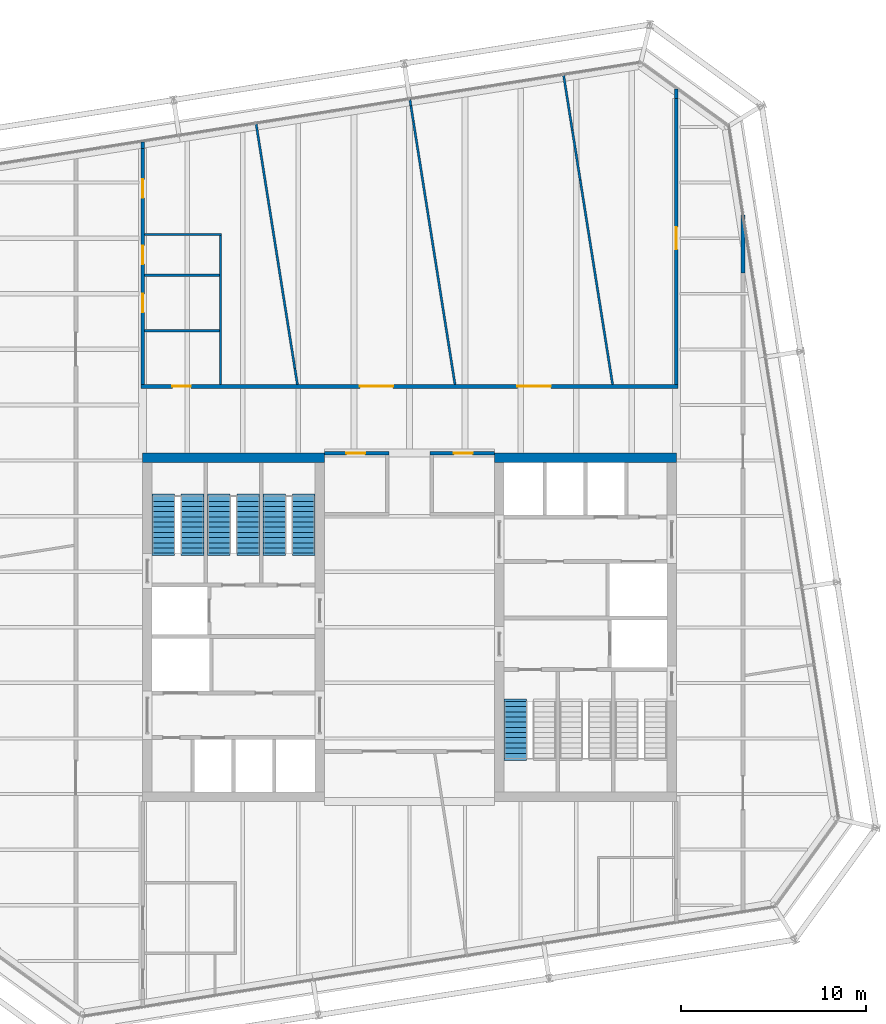
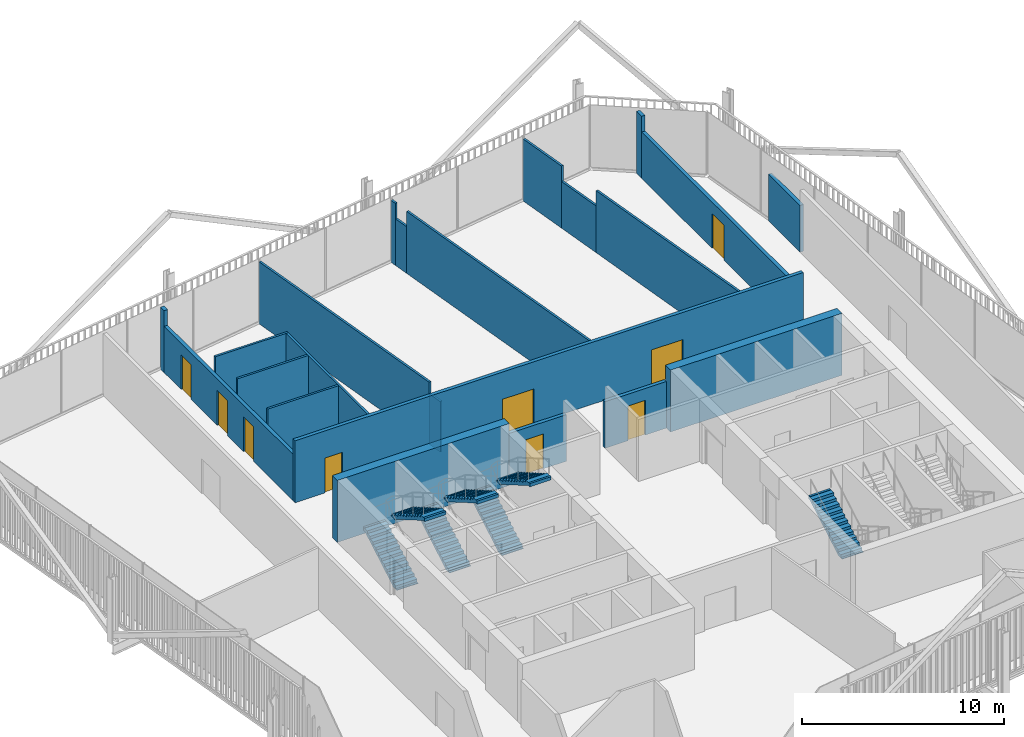
# One storey, part 19 of 21: 22 walls, 9 doors, 7 stair flights, 9 openings, 4 elements without a shape of their own.
"""IFC4 building model written with IfcOpenShell, lengths in metres."""

from ifc_helpers import new_model, si_unit, direction, frame, frame_2d, origin, place, context, subcontext, project, spatial, polyline, rectangle, outline, extrude, material, layer, layer_set, type_object, element, fill, aggregate, save


model = new_model("IFC4")

# Units and contexts
model_context = context("Model", 3, precision=1e-05, world=origin(), true_north=direction((0.0, 1.0)))
body_context = subcontext(model_context, "Body", "Model", "MODEL_VIEW")
ifc_project = project(units=[si_unit("LENGTHUNIT", "METRE"), si_unit("AREAUNIT", "SQUARE_METRE"), si_unit("VOLUMEUNIT", "CUBIC_METRE"), si_unit("PLANEANGLEUNIT", "RADIAN"), si_unit("MASSUNIT", "GRAM", prefix="KILO")], contexts=[model_context])

# Site, building, storey
site_placement = place(None, origin())
site = spatial("IfcSite", under=ifc_project, at=site_placement, CompositionType="ELEMENT")
building_placement = place(site_placement, origin())
building = spatial("IfcBuilding", under=site, at=building_placement, Name="Millrace Tower", CompositionType="ELEMENT")
storey_placement = place(building_placement, frame((0.0, 0.0, 220.300048828125)))
storey = spatial("IfcBuildingStorey", under=building, at=storey_placement, Name="L50", CompositionType="ELEMENT", Elevation=220.300048828125)

# Walls
ifc_material_1 = material(Name="Concrete C60", Category="concrete")
ifc_layer_1 = layer(ifc_material_1, 0.5)
ifc_layer_set_1 = layer_set([ifc_layer_1], Name="Concrete C60")
wall_type_1 = type_object("IfcWallType", Name="Core wall 500 Concrete C60", PredefinedType="SHEAR", material=ifc_layer_set_1)
for number, where, z_axis, x_axis, name in (
    (1, (-14.39990234375, 9.14990234375, 0.0), (0.0, 0.0, 1.0), (1.0, 0.0, 0.0), "Core wall W L50"),
    (2, (14.39990234375, 9.14990234375, 0.0), (0.0, 0.0, 1.0), (-1.0, 0.0, 0.0), "Core wall E L50"),
):
    element("IfcWall", number, at=place(storey_placement, frame(where, z_axis=z_axis, x_axis=x_axis)), inside=storey, type_object=wall_type_1, Name=name, PredefinedType="SHEAR", context=body_context, shape_type="SweptSolid", body=[
        extrude(rectangle(XDim=9.7998046875, YDim=0.5, at=frame_2d((4.89990234375, 0.0))), origin(), (0.0, 0.0, 1.0), 3.739990234375),
    ])

# Wall, opening, door
ifc_material_2 = material(Name="Masonry partition, fire-rated", Category="masonry")
ifc_layer_2 = layer(ifc_material_2, 0.199951171875)
ifc_layer_set_2 = layer_set([ifc_layer_2], Name="Masonry partition, fire-rated")
wall_type_2 = type_object("IfcWallType", Name="Corridor wall 200", PredefinedType="PARTITIONING", material=ifc_layer_set_2)
wall_1_placement = place(storey_placement, frame((-4.60009765625, 9.39990234375, 0.0), z_axis=(0.0, 0.0, 1.0), x_axis=(1.0, 0.0, 0.0)))
wall_1 = element("IfcWall", 3, at=wall_1_placement, inside=storey, type_object=wall_type_2, Name="Corridor wall L50", PredefinedType="PARTITIONING", context=body_context, shape_type="SweptSolid", body=[
    extrude(rectangle(XDim=3.5, YDim=0.199951171875, at=frame_2d((1.75, 0.0))), origin(), (0.0, 0.0, 1.0), 2.812744140625),
])
opening_1_placement = place(wall_1_placement, frame((1.199951171875, 0.0, 0.0)))
opening_1 = element("IfcOpeningElement", 4, at=opening_1_placement, cuts=wall_1, Name="Opening 50-P001", PredefinedType="OPENING", context=body_context, shape_type="SweptSolid", body=[
    extrude(rectangle(XDim=1.0, YDim=2.10009765625, at=frame_2d((0.5, 1.050048828125))), frame((0.0, 0.10986328125, 0.0), z_axis=(0.0, -1.0, 0.0), x_axis=(1.0, 0.0, 0.0)), (0.0, 0.0, 1.0), 0.219970703125),
])
ifc_material_3 = material(Name="Steel door set, fire-rated", Category="steel")
door_type_1 = type_object("IfcDoorType", Name="Corridor door 1000 x 2100", OperationType="SINGLE_SWING_LEFT", PredefinedType="DOOR", material=ifc_material_3)
door_1_placement = place(opening_1_placement, frame((1.0, 0.0, 0.0), z_axis=(0.0, 0.0, 1.0), x_axis=(-1.0, 0.0, 0.0)))
door_1 = element("IfcDoor", 5, at=door_1_placement, inside=storey, type_object=door_type_1, Name="Door 50-P001", OperationType="SINGLE_SWING_RIGHT", OverallHeight=2.10009765625, OverallWidth=1.0, PredefinedType="DOOR", context=body_context, shape_type="SweptSolid", body=[
    extrude(rectangle(XDim=1.0, YDim=2.10009765625, at=frame_2d((0.5, 1.050048828125))), frame((0.0, 0.02490234375, 0.0), z_axis=(0.0, -1.0, 0.0), x_axis=(1.0, 0.0, 0.0)), (0.0, 0.0, 1.0), 0.050048828125),
])
fill(opening_1, door_1)

wall_2_placement = place(storey_placement, frame((1.10009765625, 9.39990234375, 0.0), z_axis=(0.0, 0.0, 1.0), x_axis=(1.0, 0.0, 0.0)))
wall_2 = element("IfcWall", 6, at=wall_2_placement, inside=storey, type_object=wall_type_2, Name="Corridor wall L50", PredefinedType="PARTITIONING", context=body_context, shape_type="SweptSolid", body=[
    extrude(rectangle(XDim=3.5, YDim=0.199951171875, at=frame_2d((1.75, 0.0))), origin(), (0.0, 0.0, 1.0), 2.812744140625),
])
opening_2_placement = place(wall_2_placement, frame((1.300048828125, 0.0, 0.0)))
opening_2 = element("IfcOpeningElement", 7, at=opening_2_placement, cuts=wall_2, Name="Opening 50-P002", PredefinedType="OPENING", context=body_context, shape_type="SweptSolid", body=[
    extrude(rectangle(XDim=1.0, YDim=2.10009765625, at=frame_2d((0.5, 1.050048828125))), frame((0.0, 0.10986328125, 0.0), z_axis=(0.0, -1.0, 0.0), x_axis=(1.0, 0.0, 0.0)), (0.0, 0.0, 1.0), 0.219970703125),
])
door_2_placement = place(opening_2_placement, frame((1.0, 0.0, 0.0), z_axis=(0.0, 0.0, 1.0), x_axis=(-1.0, 0.0, 0.0)))
door_2 = element("IfcDoor", 8, at=door_2_placement, inside=storey, type_object=door_type_1, Name="Door 50-P002", OperationType="SINGLE_SWING_RIGHT", OverallHeight=2.10009765625, OverallWidth=1.0, PredefinedType="DOOR", context=body_context, shape_type="SweptSolid", body=[
    extrude(rectangle(XDim=1.0, YDim=2.10009765625, at=frame_2d((0.5, 1.050048828125))), frame((0.0, 0.02490234375, 0.0), z_axis=(0.0, -1.0, 0.0), x_axis=(1.0, 0.0, 0.0)), (0.0, 0.0, 1.0), 0.050048828125),
])
fill(opening_2, door_2)

# Wall, openings, doors
wall_3_placement = place(storey_placement, frame((-14.5, 13.0, 0.0), z_axis=(0.0, 0.0, 1.0), x_axis=(1.0, 0.0, 0.0)))
wall_3 = element("IfcWall", 9, at=wall_3_placement, inside=storey, type_object=wall_type_2, Name="Corridor wall L50", PredefinedType="PARTITIONING", context=body_context, shape_type="SweptSolid", body=[
    extrude(rectangle(XDim=29.0, YDim=0.199951171875, at=frame_2d((14.5, 0.0))), origin(), (0.0, 0.0, 1.0), 3.739990234375),
])
opening_3_placement = place(wall_3_placement, frame((1.699951171875, 0.0, 0.0)))
opening_3 = element("IfcOpeningElement", 10, at=opening_3_placement, cuts=wall_3, Name="Opening 50-P006", PredefinedType="OPENING", context=body_context, shape_type="SweptSolid", body=[
    extrude(rectangle(XDim=1.0, YDim=2.10009765625, at=frame_2d((0.5, 1.050048828125))), frame((0.0, 0.10986328125, 0.0), z_axis=(0.0, -1.0, 0.0), x_axis=(1.0, 0.0, 0.0)), (0.0, 0.0, 1.0), 0.219970703125),
])
opening_4_placement = place(wall_3_placement, frame((11.819580078125, 0.0, 0.0)))
opening_4 = element("IfcOpeningElement", 11, at=opening_4_placement, cuts=wall_3, Name="Opening 50-P009", PredefinedType="OPENING", context=body_context, shape_type="SweptSolid", body=[
    extrude(rectangle(XDim=1.800048828125, YDim=2.10009765625, at=frame_2d((0.89990234375, 1.050048828125))), frame((0.0, 0.10986328125, 0.0), z_axis=(0.0, -1.0, 0.0), x_axis=(1.0, 0.0, 0.0)), (0.0, 0.0, 1.0), 0.219970703125),
])
opening_5_placement = place(wall_3_placement, frame((20.324462890625, 0.0, 0.0)))
opening_5 = element("IfcOpeningElement", 12, at=opening_5_placement, cuts=wall_3, Name="Opening 50-P010", PredefinedType="OPENING", context=body_context, shape_type="SweptSolid", body=[
    extrude(rectangle(XDim=1.800048828125, YDim=2.10009765625, at=frame_2d((0.89990234375, 1.050048828125))), frame((0.0, 0.10986328125, 0.0), z_axis=(0.0, -1.0, 0.0), x_axis=(1.0, 0.0, 0.0)), (0.0, 0.0, 1.0), 0.219970703125),
])
door_3_placement = place(opening_3_placement, origin())
door_3 = element("IfcDoor", 13, at=door_3_placement, inside=storey, type_object=door_type_1, Name="Door 50-P006", OperationType="SINGLE_SWING_LEFT", OverallHeight=2.10009765625, OverallWidth=1.0, PredefinedType="DOOR", context=body_context, shape_type="SweptSolid", body=[
    extrude(rectangle(XDim=1.0, YDim=2.10009765625, at=frame_2d((0.5, 1.050048828125))), frame((0.0, 0.02490234375, 0.0), z_axis=(0.0, -1.0, 0.0), x_axis=(1.0, 0.0, 0.0)), (0.0, 0.0, 1.0), 0.050048828125),
])
fill(opening_3, door_3)
ifc_material_4 = material(Name="Steel door set, fire-rated", Category="steel")
door_type_2 = type_object("IfcDoorType", Name="Corridor door 1800 x 2100", OperationType="DOUBLE_DOOR_SINGLE_SWING", PredefinedType="DOOR", material=ifc_material_4)
door_4_placement = place(opening_4_placement, origin())
door_4 = element("IfcDoor", 14, at=door_4_placement, inside=storey, type_object=door_type_2, Name="Door 50-P009", OperationType="DOUBLE_DOOR_SINGLE_SWING", OverallHeight=2.10009765625, OverallWidth=1.800048828125, PredefinedType="DOOR", context=body_context, shape_type="SweptSolid", body=[
    extrude(rectangle(XDim=1.800048828125, YDim=2.10009765625, at=frame_2d((0.89990234375, 1.050048828125))), frame((0.0, 0.02490234375, 0.0), z_axis=(0.0, -1.0, 0.0), x_axis=(1.0, 0.0, 0.0)), (0.0, 0.0, 1.0), 0.050048828125),
])
fill(opening_4, door_4)
door_5_placement = place(opening_5_placement, origin())
door_5 = element("IfcDoor", 15, at=door_5_placement, inside=storey, type_object=door_type_2, Name="Door 50-P010", OperationType="DOUBLE_DOOR_SINGLE_SWING", OverallHeight=2.10009765625, OverallWidth=1.800048828125, PredefinedType="DOOR", context=body_context, shape_type="SweptSolid", body=[
    extrude(rectangle(XDim=1.800048828125, YDim=2.10009765625, at=frame_2d((0.89990234375, 1.050048828125))), frame((0.0, 0.02490234375, 0.0), z_axis=(0.0, -1.0, 0.0), x_axis=(1.0, 0.0, 0.0)), (0.0, 0.0, 1.0), 0.050048828125),
])
fill(opening_5, door_5)

# Wall
wall_4_placement = place(storey_placement, frame((18.0, 19.1171875, 0.0), z_axis=(0.0, 0.0, 1.0), x_axis=(0.0, 1.0, 0.0)))
element("IfcWall", 16, at=wall_4_placement, inside=storey, type_object=wall_type_2, Name="Corridor wall L50", PredefinedType="PARTITIONING", context=body_context, shape_type="SweptSolid", body=[
    extrude(rectangle(XDim=3.137451171875, YDim=0.199951171875, at=frame_2d((1.56884765625, 0.0))), origin(), (0.0, 0.0, 1.0), 2.812744140625),
])

# Wall, opening, door
wall_5_placement = place(storey_placement, frame((14.39990234375, 13.10009765625, 0.0), z_axis=(0.0, 0.0, 1.0), x_axis=(0.0, 1.0, 0.0)))
wall_5 = element("IfcWall", 17, at=wall_5_placement, inside=storey, type_object=wall_type_2, Name="Corridor wall L50", PredefinedType="PARTITIONING", context=body_context, shape_type="SweptSolid", body=[
    extrude(rectangle(XDim=15.440673828125, YDim=0.199951171875, at=frame_2d((7.72021484375, 0.0))), origin(), (0.0, 0.0, 1.0), 2.79248046875),
])
opening_6_placement = place(wall_5_placement, frame((7.298095703125, 0.0, 0.0)))
opening_6 = element("IfcOpeningElement", 18, at=opening_6_placement, cuts=wall_5, Name="Opening 50-P011", PredefinedType="OPENING", context=body_context, shape_type="SweptSolid", body=[
    extrude(rectangle(XDim=1.199951171875, YDim=2.10009765625, at=frame_2d((0.60009765625, 1.050048828125))), frame((0.0, 0.10986328125, 0.0), z_axis=(0.0, -1.0, 0.0), x_axis=(1.0, 0.0, 0.0)), (0.0, 0.0, 1.0), 0.219970703125),
])
ifc_material_5 = material(Name="Steel door set, fire-rated", Category="steel")
door_type_3 = type_object("IfcDoorType", Name="Corridor door 1200 x 2100", OperationType="SINGLE_SWING_LEFT", PredefinedType="DOOR", material=ifc_material_5)
door_6_placement = place(opening_6_placement, origin())
door_6 = element("IfcDoor", 19, at=door_6_placement, inside=storey, type_object=door_type_3, Name="Door 50-P011", OperationType="SINGLE_SWING_LEFT", OverallHeight=2.10009765625, OverallWidth=1.199951171875, PredefinedType="DOOR", context=body_context, shape_type="SweptSolid", body=[
    extrude(rectangle(XDim=1.199951171875, YDim=2.10009765625, at=frame_2d((0.60009765625, 1.050048828125))), frame((0.0, 0.02490234375, 0.0), z_axis=(0.0, -1.0, 0.0), x_axis=(1.0, 0.0, 0.0)), (0.0, 0.0, 1.0), 0.050048828125),
])
fill(opening_6, door_6)

# Wall
wall_6_placement = place(storey_placement, frame((14.39990234375, 28.540771484375, 0.0), z_axis=(0.0, 0.0, 1.0), x_axis=(0.0, 1.0, 0.0)))
element("IfcWall", 20, at=wall_6_placement, inside=storey, type_object=wall_type_2, Name="Corridor wall L50", PredefinedType="PARTITIONING", context=body_context, shape_type="SweptSolid", body=[
    extrude(rectangle(XDim=0.51708984375, YDim=0.199951171875, at=frame_2d((0.258544921875, 0.0))), origin(), (0.0, 0.0, 1.0), 3.739990234375),
])

# Wall, openings, doors
wall_7_placement = place(storey_placement, frame((-14.39990234375, 13.10009765625, 0.0), z_axis=(0.0, 0.0, 1.0), x_axis=(0.0, 1.0, 0.0)))
wall_7 = element("IfcWall", 21, at=wall_7_placement, inside=storey, type_object=wall_type_2, Name="Corridor wall L50", PredefinedType="PARTITIONING", context=body_context, shape_type="SweptSolid", body=[
    extrude(rectangle(XDim=12.74853515625, YDim=0.199951171875, at=frame_2d((6.374267578125, 0.0))), origin(), (0.0, 0.0, 1.0), 2.79248046875),
])
opening_7_placement = place(wall_7_placement, frame((10.073974609375, 0.0, 0.0)))
opening_7 = element("IfcOpeningElement", 22, at=opening_7_placement, cuts=wall_7, Name="Opening 50-P005", PredefinedType="OPENING", context=body_context, shape_type="SweptSolid", body=[
    extrude(rectangle(XDim=1.0, YDim=2.10009765625, at=frame_2d((0.5, 1.050048828125))), frame((0.0, 0.10986328125, 0.0), z_axis=(0.0, -1.0, 0.0), x_axis=(1.0, 0.0, 0.0)), (0.0, 0.0, 1.0), 0.219970703125),
])
opening_8_placement = place(wall_7_placement, frame((3.89990234375, 0.0, 0.0)))
opening_8 = element("IfcOpeningElement", 23, at=opening_8_placement, cuts=wall_7, Name="Opening 50-P007", PredefinedType="OPENING", context=body_context, shape_type="SweptSolid", body=[
    extrude(rectangle(XDim=1.0, YDim=2.10009765625, at=frame_2d((0.5, 1.050048828125))), frame((0.0, 0.10986328125, 0.0), z_axis=(0.0, -1.0, 0.0), x_axis=(1.0, 0.0, 0.0)), (0.0, 0.0, 1.0), 0.219970703125),
])
opening_9_placement = place(wall_7_placement, frame((6.5, 0.0, 0.0)))
opening_9 = element("IfcOpeningElement", 24, at=opening_9_placement, cuts=wall_7, Name="Opening 50-P008", PredefinedType="OPENING", context=body_context, shape_type="SweptSolid", body=[
    extrude(rectangle(XDim=1.0, YDim=2.10009765625, at=frame_2d((0.5, 1.050048828125))), frame((0.0, 0.10986328125, 0.0), z_axis=(0.0, -1.0, 0.0), x_axis=(1.0, 0.0, 0.0)), (0.0, 0.0, 1.0), 0.219970703125),
])
door_7_placement = place(opening_7_placement, frame((1.0, 0.0, 0.0), z_axis=(0.0, 0.0, 1.0), x_axis=(-1.0, 0.0, 0.0)))
door_7 = element("IfcDoor", 25, at=door_7_placement, inside=storey, type_object=door_type_1, Name="Door 50-P005", OperationType="SINGLE_SWING_LEFT", OverallHeight=2.10009765625, OverallWidth=1.0, PredefinedType="DOOR", context=body_context, shape_type="SweptSolid", body=[
    extrude(rectangle(XDim=1.0, YDim=2.10009765625, at=frame_2d((0.5, 1.050048828125))), frame((0.0, 0.02490234375, 0.0), z_axis=(0.0, -1.0, 0.0), x_axis=(1.0, 0.0, 0.0)), (0.0, 0.0, 1.0), 0.050048828125),
])
fill(opening_7, door_7)
door_8_placement = place(opening_8_placement, frame((1.0, 0.0, 0.0), z_axis=(0.0, 0.0, 1.0), x_axis=(-1.0, 0.0, 0.0)))
door_8 = element("IfcDoor", 26, at=door_8_placement, inside=storey, type_object=door_type_1, Name="Door 50-P007", OperationType="SINGLE_SWING_RIGHT", OverallHeight=2.10009765625, OverallWidth=1.0, PredefinedType="DOOR", context=body_context, shape_type="SweptSolid", body=[
    extrude(rectangle(XDim=1.0, YDim=2.10009765625, at=frame_2d((0.5, 1.050048828125))), frame((0.0, 0.02490234375, 0.0), z_axis=(0.0, -1.0, 0.0), x_axis=(1.0, 0.0, 0.0)), (0.0, 0.0, 1.0), 0.050048828125),
])
fill(opening_8, door_8)
door_9_placement = place(opening_9_placement, frame((1.0, 0.0, 0.0), z_axis=(0.0, 0.0, 1.0), x_axis=(-1.0, 0.0, 0.0)))
door_9 = element("IfcDoor", 27, at=door_9_placement, inside=storey, type_object=door_type_1, Name="Door 50-P008", OperationType="SINGLE_SWING_LEFT", OverallHeight=2.10009765625, OverallWidth=1.0, PredefinedType="DOOR", context=body_context, shape_type="SweptSolid", body=[
    extrude(rectangle(XDim=1.0, YDim=2.10009765625, at=frame_2d((0.5, 1.050048828125))), frame((0.0, 0.02490234375, 0.0), z_axis=(0.0, -1.0, 0.0), x_axis=(1.0, 0.0, 0.0)), (0.0, 0.0, 1.0), 0.050048828125),
])
fill(opening_9, door_9)

# Walls
wall_8_placement = place(storey_placement, frame((-14.39990234375, 25.8486328125, 0.0), z_axis=(0.0, 0.0, 1.0), x_axis=(0.0, 1.0, 0.0)))
element("IfcWall", 28, at=wall_8_placement, inside=storey, type_object=wall_type_2, Name="Corridor wall L50", PredefinedType="PARTITIONING", context=body_context, shape_type="SweptSolid", body=[
    extrude(rectangle(XDim=0.349609375, YDim=0.199951171875, at=frame_2d((0.1748046875, 0.0))), origin(), (0.0, 0.0, 1.0), 3.739990234375),
])
ifc_material_6 = material(Name="Gypsum board partition")
ifc_layer_3 = layer(ifc_material_6, 0.1201171875)
ifc_layer_set_3 = layer_set([ifc_layer_3], Name="Gypsum board partition")
wall_type_3 = type_object("IfcWallType", Name="Partition wall 120", PredefinedType="PARTITIONING", material=ifc_layer_set_3)
wall_9_placement = place(storey_placement, frame((-8.27685546875, 27.16796875, 0.0), z_axis=(0.0, 0.0, 1.0), x_axis=(0.156429057976, -0.987689196975, 0.0)))
element("IfcWall", 29, at=wall_9_placement, inside=storey, type_object=wall_type_3, Name="Partition wall L50", PredefinedType="PARTITIONING", context=body_context, shape_type="SweptSolid", body=[
    extrude(rectangle(XDim=13.356689453125, YDim=0.1201171875, at=frame_2d((6.67822265625, 0.0))), origin(), (0.0, 0.0, 1.0), 3.739990234375),
])
wall_10_placement = place(storey_placement, frame((-6.1875, 13.975830078125, 0.0), z_axis=(0.0, 0.0, 1.0), x_axis=(0.156456753073, -0.98768481026, 0.0)))
element("IfcWall", 30, at=wall_10_placement, inside=storey, type_object=wall_type_3, Name="Partition wall L50", PredefinedType="PARTITIONING", context=body_context, shape_type="SweptSolid", body=[
    extrude(rectangle(XDim=0.887939453125, YDim=0.1201171875, at=frame_2d((0.44384765625, 0.0))), origin(), (0.0, 0.0, 1.0), 3.046630859375),
])
wall_11_placement = place(storey_placement, frame((0.020263671875, 28.482177734375, 0.0), z_axis=(0.0, 0.0, 1.0), x_axis=(0.155999489422, -0.987757135788, 0.0)))
element("IfcWall", 31, at=wall_11_placement, inside=storey, type_object=wall_type_3, Name="Partition wall L50", PredefinedType="PARTITIONING", context=body_context, shape_type="SweptSolid", body=[
    extrude(rectangle(XDim=0.339599609375, YDim=0.1201171875, at=frame_2d((0.169921875, 0.0))), origin(), (0.0, 0.0, 1.0), 3.739990234375),
])
wall_12_placement = place(storey_placement, frame((0.0732421875, 28.146728515625, 0.0), z_axis=(0.0, 0.0, 1.0), x_axis=(0.156454153155, -0.987685222103, 0.0)))
element("IfcWall", 32, at=wall_12_placement, inside=storey, type_object=wall_type_3, Name="Partition wall L50", PredefinedType="PARTITIONING", context=body_context, shape_type="SweptSolid", body=[
    extrude(rectangle(XDim=0.892578125, YDim=0.1201171875, at=frame_2d((0.4462890625, 0.0))), origin(), (0.0, 0.0, 1.0), 2.812744140625),
])
wall_13_placement = place(storey_placement, frame((0.212890625, 27.26513671875, 0.0), z_axis=(0.0, 0.0, 1.0), x_axis=(0.156413589686, -0.9876916467, 0.0)))
element("IfcWall", 33, at=wall_13_placement, inside=storey, type_object=wall_type_3, Name="Partition wall L50", PredefinedType="PARTITIONING", context=body_context, shape_type="SweptSolid", body=[
    extrude(rectangle(XDim=14.3427734375, YDim=0.1201171875, at=frame_2d((7.17138671875, 0.0))), origin(), (0.0, 0.0, 1.0), 3.739990234375),
])
wall_14_placement = place(storey_placement, frame((8.316162109375, 29.796142578125, 0.0), z_axis=(0.0, 0.0, 1.0), x_axis=(0.15649998255, -0.987677961413, 0.0)))
element("IfcWall", 34, at=wall_14_placement, inside=storey, type_object=wall_type_3, Name="Partition wall L50", PredefinedType="PARTITIONING", context=body_context, shape_type="SweptSolid", body=[
    extrude(rectangle(XDim=3.00927734375, YDim=0.1201171875, at=frame_2d((1.504638671875, 0.0))), origin(), (0.0, 0.0, 1.0), 3.739990234375),
])
wall_15_placement = place(storey_placement, frame((8.787109375, 26.823974609375, 0.0), z_axis=(0.0, 0.0, 1.0), x_axis=(0.156436996348, -0.987687939672, 0.0)))
element("IfcWall", 35, at=wall_15_placement, inside=storey, type_object=wall_type_3, Name="Partition wall L50", PredefinedType="PARTITIONING", context=body_context, shape_type="SweptSolid", body=[
    extrude(rectangle(XDim=2.7216796875, YDim=0.1201171875, at=frame_2d((1.36083984375, 0.0))), origin(), (0.0, 0.0, 1.0), 2.812744140625),
])
wall_16_placement = place(storey_placement, frame((9.212890625, 24.1357421875, 0.0), z_axis=(0.0, 0.0, 1.0), x_axis=(0.156475271536, -0.987681876617, 0.0)))
element("IfcWall", 36, at=wall_16_placement, inside=storey, type_object=wall_type_3, Name="Partition wall L50", PredefinedType="PARTITIONING", context=body_context, shape_type="SweptSolid", body=[
    extrude(rectangle(XDim=11.174560546875, YDim=0.1201171875, at=frame_2d((5.58740234375, 0.0))), origin(), (0.0, 0.0, 1.0), 3.739990234375),
])
for number, where, z_axis, x_axis, name in (
    (37, (-14.300048828125, 16.0, 0.0), (0.0, 0.0, 1.0), (1.0, 0.0, 0.0), "Partition wall L50"),
    (38, (-14.300048828125, 19.0, 0.0), (0.0, 0.0, 1.0), (1.0, 0.0, 0.0), "Partition wall L50"),
):
    element("IfcWall", number, at=place(storey_placement, frame(where, z_axis=z_axis, x_axis=x_axis)), inside=storey, type_object=wall_type_3, Name=name, PredefinedType="PARTITIONING", context=body_context, shape_type="SweptSolid", body=[
        extrude(rectangle(XDim=4.0400390625, YDim=0.1201171875, at=frame_2d((2.02001953125, 0.0))), origin(), (0.0, 0.0, 1.0), 3.739990234375),
    ])
wall_17_placement = place(storey_placement, frame((-14.300048828125, 21.199951171875, 0.0), z_axis=(0.0, 0.0, 1.0), x_axis=(1.0, 0.0, 0.0)))
element("IfcWall", 39, at=wall_17_placement, inside=storey, type_object=wall_type_3, Name="Partition wall L50", PredefinedType="PARTITIONING", context=body_context, shape_type="SweptSolid", body=[
    extrude(rectangle(XDim=4.16015625, YDim=0.1201171875, at=frame_2d((2.080078125, 0.0))), origin(), (0.0, 0.0, 1.0), 3.739990234375),
])
wall_18_placement = place(storey_placement, frame((-10.199951171875, 13.10009765625, 0.0), z_axis=(0.0, 0.0, 1.0), x_axis=(0.0, 1.0, 0.0)))
element("IfcWall", 40, at=wall_18_placement, inside=storey, type_object=wall_type_3, Name="Partition wall L50", PredefinedType="PARTITIONING", context=body_context, shape_type="SweptSolid", body=[
    extrude(rectangle(XDim=8.039794921875, YDim=0.1201171875, at=frame_2d((4.02001953125, 0.0))), origin(), (0.0, 0.0, 1.0), 3.739990234375),
])

# Stair, stair flights
ifc_material_7 = material(Name="Concrete C35", Category="concrete")
stair_type = type_object("IfcStairType", Name="Exit stair", PredefinedType="HALF_TURN_STAIR", material=ifc_material_7)
placement = place(storey_placement, origin())
stair_1 = element("IfcStair", 41, at=placement, inside=storey, type_object=stair_type, Name="Stair 1 W L50", PredefinedType="HALF_TURN_STAIR")
ifc_material_8 = material(Name="Concrete C35", Category="concrete")
stair_flight_type = type_object("IfcStairFlightType", Name="Exit stair flight", PredefinedType="STRAIGHT", material=ifc_material_8)
stair_flight_1_placement = place(storey_placement, frame((-13.2900390625, 4.0, 0.0), z_axis=(0.0, 0.0, 1.0), x_axis=(0.0, 1.0, 0.0)))
stair_flight_1 = element("IfcStairFlight", 42, at=stair_flight_1_placement, type_object=stair_flight_type, Name="ST12 flight 1", NumberOfRisers=12, NumberOfTreads=11, PredefinedType="STRAIGHT", RiserHeight=0.1625, TreadLength=0.28, context=body_context, shape_type="SweptSolid", body=[
    extrude(outline(polyline([(-0.1201171875, -0.0400390625), (-0.1201171875, 0.0), (0.0, 0.0), (0.0, 0.16259765625), (0.280029296875, 0.16259765625), (0.280029296875, 0.324951171875), (0.56005859375, 0.324951171875), (0.56005859375, 0.487548828125), (0.840087890625, 0.487548828125), (0.840087890625, 0.64990234375), (1.1201171875, 0.64990234375), (1.1201171875, 0.8125), (1.39990234375, 0.8125), (1.39990234375, 0.97509765625), (1.679931640625, 0.97509765625), (1.679931640625, 1.137451171875), (1.9599609375, 1.137451171875), (1.9599609375, 1.300048828125), (2.239990234375, 1.300048828125), (2.239990234375, 1.46240234375), (2.52001953125, 1.46240234375), (2.52001953125, 1.625), (2.800048828125, 1.625), (2.800048828125, 1.78759765625), (3.080078125, 1.78759765625), (3.080078125, 1.8076171875), (3.199951171875, 1.8076171875), (3.199951171875, 1.6142578125), (3.080078125, 1.6142578125), (0.298583984375, 0.0), (0.298583984375, -0.0400390625), (-0.1201171875, -0.0400390625)])), frame((0.0, 0.60986328125, 0.0), z_axis=(0.0, -1.0, 0.0), x_axis=(1.0, 0.0, 0.0)), (0.0, 0.0, 1.0), 1.219970703125),
])
stair_flight_2_placement = place(storey_placement, frame((-11.7099609375, 7.080078125, 1.949951171875), z_axis=(0.0, 0.0, 1.0), x_axis=(0.0, -1.0, 0.0)))
stair_flight_2 = element("IfcStairFlight", 43, at=stair_flight_2_placement, type_object=stair_flight_type, Name="ST12 flight 2", NumberOfRisers=12, NumberOfTreads=11, PredefinedType="STRAIGHT", RiserHeight=0.1625, TreadLength=0.28, context=body_context, shape_type="SweptSolid", body=[
    extrude(outline(polyline([(-0.1201171875, -0.0400390625), (-0.1201171875, 0.0), (0.0, 0.0), (0.0, 0.16259765625), (0.280029296875, 0.16259765625), (0.280029296875, 0.324951171875), (0.56005859375, 0.324951171875), (0.56005859375, 0.487548828125), (0.840087890625, 0.487548828125), (0.840087890625, 0.64990234375), (1.1201171875, 0.64990234375), (1.1201171875, 0.8125), (1.39990234375, 0.8125), (1.39990234375, 0.97509765625), (1.679931640625, 0.97509765625), (1.679931640625, 1.137451171875), (1.9599609375, 1.137451171875), (1.9599609375, 1.300048828125), (2.239990234375, 1.300048828125), (2.239990234375, 1.46240234375), (2.52001953125, 1.46240234375), (2.52001953125, 1.625), (2.800048828125, 1.625), (2.800048828125, 1.78759765625), (3.080078125, 1.78759765625), (3.080078125, 1.8076171875), (3.199951171875, 1.8076171875), (3.199951171875, 1.6142578125), (3.080078125, 1.6142578125), (0.298583984375, 0.0), (0.298583984375, -0.0400390625), (-0.1201171875, -0.0400390625)])), frame((0.0, 0.60986328125, 0.0), z_axis=(0.0, -1.0, 0.0), x_axis=(1.0, 0.0, 0.0)), (0.0, 0.0, 1.0), 1.219970703125),
])
aggregate(stair_1, [stair_flight_1, stair_flight_2])

stair_2 = element("IfcStair", 44, at=placement, inside=storey, type_object=stair_type, Name="Stair 2 W L50", PredefinedType="HALF_TURN_STAIR")
stair_flight_3_placement = place(storey_placement, frame((-10.2900390625, 4.0, 0.0), z_axis=(0.0, 0.0, 1.0), x_axis=(0.0, 1.0, 0.0)))
stair_flight_3 = element("IfcStairFlight", 45, at=stair_flight_3_placement, type_object=stair_flight_type, Name="ST12 flight 1", NumberOfRisers=12, NumberOfTreads=11, PredefinedType="STRAIGHT", RiserHeight=0.1625, TreadLength=0.28, context=body_context, shape_type="SweptSolid", body=[
    extrude(outline(polyline([(-0.1201171875, -0.0400390625), (-0.1201171875, 0.0), (0.0, 0.0), (0.0, 0.16259765625), (0.280029296875, 0.16259765625), (0.280029296875, 0.324951171875), (0.56005859375, 0.324951171875), (0.56005859375, 0.487548828125), (0.840087890625, 0.487548828125), (0.840087890625, 0.64990234375), (1.1201171875, 0.64990234375), (1.1201171875, 0.8125), (1.39990234375, 0.8125), (1.39990234375, 0.97509765625), (1.679931640625, 0.97509765625), (1.679931640625, 1.137451171875), (1.9599609375, 1.137451171875), (1.9599609375, 1.300048828125), (2.239990234375, 1.300048828125), (2.239990234375, 1.46240234375), (2.52001953125, 1.46240234375), (2.52001953125, 1.625), (2.800048828125, 1.625), (2.800048828125, 1.78759765625), (3.080078125, 1.78759765625), (3.080078125, 1.8076171875), (3.199951171875, 1.8076171875), (3.199951171875, 1.6142578125), (3.080078125, 1.6142578125), (0.298583984375, 0.0), (0.298583984375, -0.0400390625), (-0.1201171875, -0.0400390625)])), frame((0.0, 0.60986328125, 0.0), z_axis=(0.0, -1.0, 0.0), x_axis=(1.0, 0.0, 0.0)), (0.0, 0.0, 1.0), 1.219970703125),
])
stair_flight_4_placement = place(storey_placement, frame((-8.7099609375, 7.080078125, 1.949951171875), z_axis=(0.0, 0.0, 1.0), x_axis=(0.0, -1.0, 0.0)))
stair_flight_4 = element("IfcStairFlight", 46, at=stair_flight_4_placement, type_object=stair_flight_type, Name="ST12 flight 2", NumberOfRisers=12, NumberOfTreads=11, PredefinedType="STRAIGHT", RiserHeight=0.1625, TreadLength=0.28, context=body_context, shape_type="SweptSolid", body=[
    extrude(outline(polyline([(-0.1201171875, -0.0400390625), (-0.1201171875, 0.0), (0.0, 0.0), (0.0, 0.16259765625), (0.280029296875, 0.16259765625), (0.280029296875, 0.324951171875), (0.56005859375, 0.324951171875), (0.56005859375, 0.487548828125), (0.840087890625, 0.487548828125), (0.840087890625, 0.64990234375), (1.1201171875, 0.64990234375), (1.1201171875, 0.8125), (1.39990234375, 0.8125), (1.39990234375, 0.97509765625), (1.679931640625, 0.97509765625), (1.679931640625, 1.137451171875), (1.9599609375, 1.137451171875), (1.9599609375, 1.300048828125), (2.239990234375, 1.300048828125), (2.239990234375, 1.46240234375), (2.52001953125, 1.46240234375), (2.52001953125, 1.625), (2.800048828125, 1.625), (2.800048828125, 1.78759765625), (3.080078125, 1.78759765625), (3.080078125, 1.8076171875), (3.199951171875, 1.8076171875), (3.199951171875, 1.6142578125), (3.080078125, 1.6142578125), (0.298583984375, 0.0), (0.298583984375, -0.0400390625), (-0.1201171875, -0.0400390625)])), frame((0.0, 0.60986328125, 0.0), z_axis=(0.0, -1.0, 0.0), x_axis=(1.0, 0.0, 0.0)), (0.0, 0.0, 1.0), 1.219970703125),
])
aggregate(stair_2, [stair_flight_3, stair_flight_4])

stair_3 = element("IfcStair", 47, at=placement, inside=storey, type_object=stair_type, Name="Stair 3 W L50", PredefinedType="HALF_TURN_STAIR")
stair_flight_5_placement = place(storey_placement, frame((-7.2900390625, 4.0, 0.0), z_axis=(0.0, 0.0, 1.0), x_axis=(0.0, 1.0, 0.0)))
stair_flight_5 = element("IfcStairFlight", 48, at=stair_flight_5_placement, type_object=stair_flight_type, Name="ST12 flight 1", NumberOfRisers=12, NumberOfTreads=11, PredefinedType="STRAIGHT", RiserHeight=0.1625, TreadLength=0.28, context=body_context, shape_type="SweptSolid", body=[
    extrude(outline(polyline([(-0.1201171875, -0.0400390625), (-0.1201171875, 0.0), (0.0, 0.0), (0.0, 0.16259765625), (0.280029296875, 0.16259765625), (0.280029296875, 0.324951171875), (0.56005859375, 0.324951171875), (0.56005859375, 0.487548828125), (0.840087890625, 0.487548828125), (0.840087890625, 0.64990234375), (1.1201171875, 0.64990234375), (1.1201171875, 0.8125), (1.39990234375, 0.8125), (1.39990234375, 0.97509765625), (1.679931640625, 0.97509765625), (1.679931640625, 1.137451171875), (1.9599609375, 1.137451171875), (1.9599609375, 1.300048828125), (2.239990234375, 1.300048828125), (2.239990234375, 1.46240234375), (2.52001953125, 1.46240234375), (2.52001953125, 1.625), (2.800048828125, 1.625), (2.800048828125, 1.78759765625), (3.080078125, 1.78759765625), (3.080078125, 1.8076171875), (3.199951171875, 1.8076171875), (3.199951171875, 1.6142578125), (3.080078125, 1.6142578125), (0.298583984375, 0.0), (0.298583984375, -0.0400390625), (-0.1201171875, -0.0400390625)])), frame((0.0, 0.60986328125, 0.0), z_axis=(0.0, -1.0, 0.0), x_axis=(1.0, 0.0, 0.0)), (0.0, 0.0, 1.0), 1.219970703125),
])
stair_flight_6_placement = place(storey_placement, frame((-5.7099609375, 7.080078125, 1.949951171875), z_axis=(0.0, 0.0, 1.0), x_axis=(0.0, -1.0, 0.0)))
stair_flight_6 = element("IfcStairFlight", 49, at=stair_flight_6_placement, type_object=stair_flight_type, Name="ST12 flight 2", NumberOfRisers=12, NumberOfTreads=11, PredefinedType="STRAIGHT", RiserHeight=0.1625, TreadLength=0.28, context=body_context, shape_type="SweptSolid", body=[
    extrude(outline(polyline([(-0.1201171875, -0.0400390625), (-0.1201171875, 0.0), (0.0, 0.0), (0.0, 0.16259765625), (0.280029296875, 0.16259765625), (0.280029296875, 0.324951171875), (0.56005859375, 0.324951171875), (0.56005859375, 0.487548828125), (0.840087890625, 0.487548828125), (0.840087890625, 0.64990234375), (1.1201171875, 0.64990234375), (1.1201171875, 0.8125), (1.39990234375, 0.8125), (1.39990234375, 0.97509765625), (1.679931640625, 0.97509765625), (1.679931640625, 1.137451171875), (1.9599609375, 1.137451171875), (1.9599609375, 1.300048828125), (2.239990234375, 1.300048828125), (2.239990234375, 1.46240234375), (2.52001953125, 1.46240234375), (2.52001953125, 1.625), (2.800048828125, 1.625), (2.800048828125, 1.78759765625), (3.080078125, 1.78759765625), (3.080078125, 1.8076171875), (3.199951171875, 1.8076171875), (3.199951171875, 1.6142578125), (3.080078125, 1.6142578125), (0.298583984375, 0.0), (0.298583984375, -0.0400390625), (-0.1201171875, -0.0400390625)])), frame((0.0, 0.60986328125, 0.0), z_axis=(0.0, -1.0, 0.0), x_axis=(1.0, 0.0, 0.0)), (0.0, 0.0, 1.0), 1.219970703125),
])
aggregate(stair_3, [stair_flight_5, stair_flight_6])

# Stair, stair flight
stair_4 = element("IfcStair", 50, at=placement, inside=storey, type_object=stair_type, Name="Stair 3 E L50", PredefinedType="HALF_TURN_STAIR")
stair_flight_7_placement = place(storey_placement, frame((5.7099609375, -7.080078125, 1.949951171875), z_axis=(0.0, 0.0, 1.0), x_axis=(0.0, 1.0, 0.0)))
stair_flight_7 = element("IfcStairFlight", 51, at=stair_flight_7_placement, type_object=stair_flight_type, Name="ST12 flight 2", NumberOfRisers=12, NumberOfTreads=11, PredefinedType="STRAIGHT", RiserHeight=0.1625, TreadLength=0.28, context=body_context, shape_type="SweptSolid", body=[
    extrude(outline(polyline([(-0.1201171875, -0.0400390625), (-0.1201171875, 0.0), (0.0, 0.0), (0.0, 0.16259765625), (0.280029296875, 0.16259765625), (0.280029296875, 0.324951171875), (0.56005859375, 0.324951171875), (0.56005859375, 0.487548828125), (0.840087890625, 0.487548828125), (0.840087890625, 0.64990234375), (1.1201171875, 0.64990234375), (1.1201171875, 0.8125), (1.39990234375, 0.8125), (1.39990234375, 0.97509765625), (1.679931640625, 0.97509765625), (1.679931640625, 1.137451171875), (1.9599609375, 1.137451171875), (1.9599609375, 1.300048828125), (2.239990234375, 1.300048828125), (2.239990234375, 1.46240234375), (2.52001953125, 1.46240234375), (2.52001953125, 1.625), (2.800048828125, 1.625), (2.800048828125, 1.78759765625), (3.080078125, 1.78759765625), (3.080078125, 1.8076171875), (3.199951171875, 1.8076171875), (3.199951171875, 1.6142578125), (3.080078125, 1.6142578125), (0.298583984375, 0.0), (0.298583984375, -0.0400390625), (-0.1201171875, -0.0400390625)])), frame((0.0, 0.60986328125, 0.0), z_axis=(0.0, -1.0, 0.0), x_axis=(1.0, 0.0, 0.0)), (0.0, 0.0, 1.0), 1.219970703125),
])
aggregate(stair_4, [stair_flight_7])

save(model, "model.ifc")
